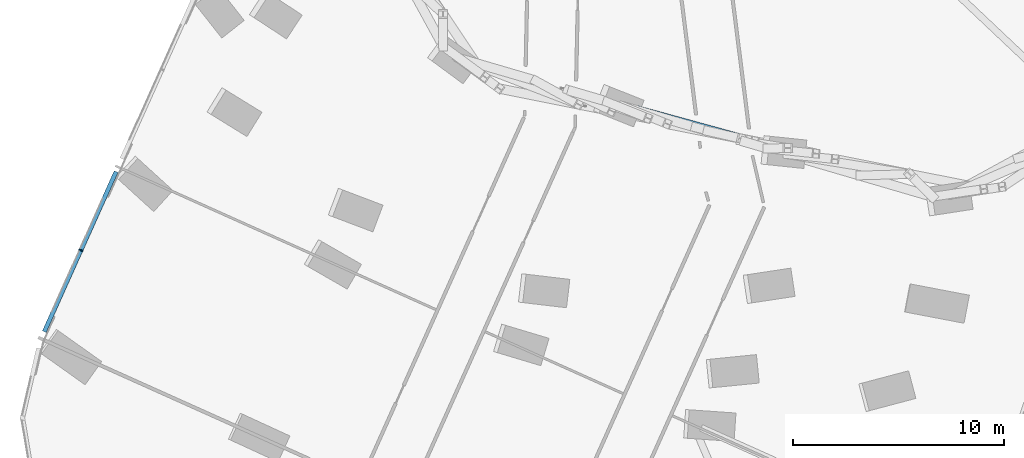
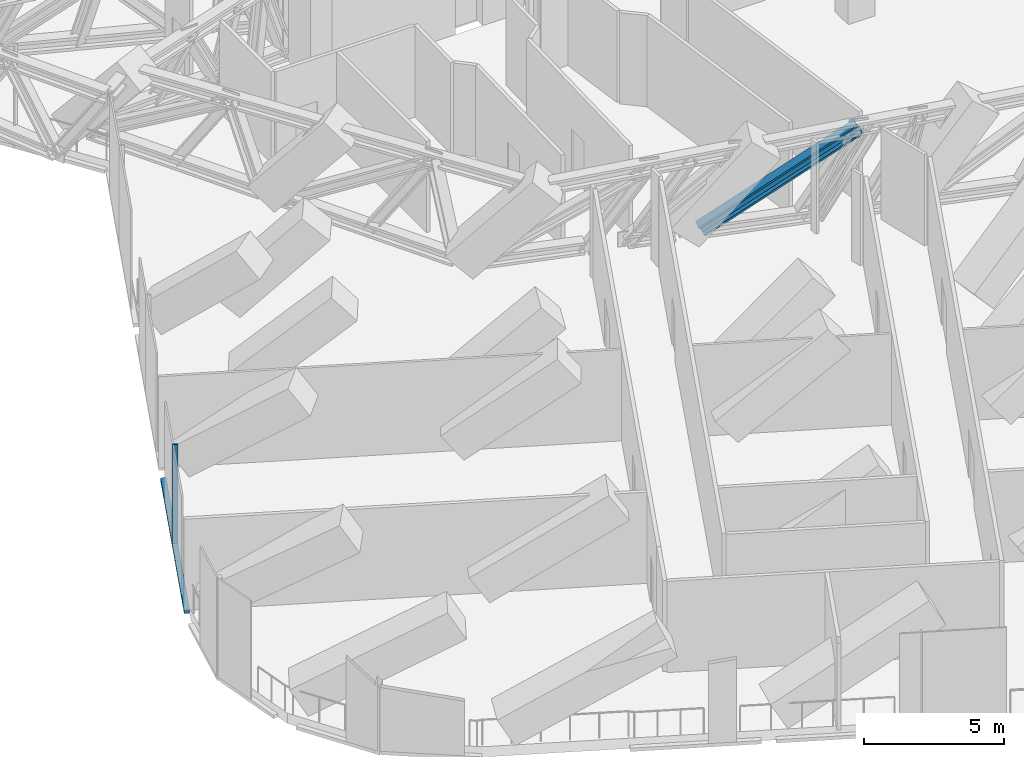
# One storey, part 4 of 39: 3 members, 1 element without a shape of its own.
"""IFC4 building model written with IfcOpenShell, lengths in metres."""

from ifc_helpers import new_model, si_unit, direction, frame, origin, origin_2d, place, context, subcontext, project, spatial, rectangle, i_section, extrude, material, material_profile, profile_set, type_object, element, aggregate, save


model = new_model("IFC4")

# Units and contexts
model_context = context("Model", 3, precision=1e-05, world=origin(), true_north=direction((0.0, 1.0)))
body_context = subcontext(model_context, "Body", "Model", "MODEL_VIEW")
ifc_project = project(units=[si_unit("LENGTHUNIT", "METRE"), si_unit("AREAUNIT", "SQUARE_METRE"), si_unit("VOLUMEUNIT", "CUBIC_METRE"), si_unit("PLANEANGLEUNIT", "RADIAN"), si_unit("MASSUNIT", "GRAM", prefix="KILO")], contexts=[model_context])

# Site, building, storey
site_placement = place(None, origin())
site = spatial("IfcSite", under=ifc_project, at=site_placement, CompositionType="ELEMENT")
building_placement = place(site_placement, origin())
building = spatial("IfcBuilding", under=site, at=building_placement, Name="Orlundy Tower", CompositionType="ELEMENT")
storey_placement = place(building_placement, frame((0.0, 0.0, 141.199951171875)))
storey = spatial("IfcBuildingStorey", under=building, at=storey_placement, Name="L36", CompositionType="ELEMENT", Elevation=141.199951171875)

# Member
ifc_material_1 = material(Name="Steel ASTM A992 Gr 50", Category="steel")
ifc_material_profile_1 = material_profile(ifc_material_1, i_section(OverallWidth=0.42431640625, OverallDepth=0.47412109375, WebThickness=0.0478515625, FlangeThickness=0.0771484375, at=origin_2d()), Name="W14X426")
ifc_profile_set_1 = profile_set([ifc_material_profile_1], Name="Steel ASTM A992 Gr 50")
member_type_1 = type_object("IfcMemberType", Name="BELT TRUSS diagonal W14X426", PredefinedType="BRACE", material=ifc_profile_set_1)
member_1_placement = place(storey_placement, frame((-11.69091796875, -27.20361328125, 0.28466796875), z_axis=(0.831894524332, -0.228222037398, 0.50583218762), x_axis=(0.264564800962, 0.964367910132, 0.0)))
element("IfcMember", 1, at=member_1_placement, inside=storey, type_object=member_type_1, Name="Belt truss diagonal BT-05-0", PredefinedType="BRACE", context=body_context, shape_type="SweptSolid", body=[
    extrude(i_section(OverallWidth=0.42431640625, OverallDepth=0.47412109375, WebThickness=0.0478515625, FlangeThickness=0.0771484375, at=origin_2d()), origin(), (0.0, 0.0, 1.0), 6.7822265625),
])

# Curtain wall, members
ifc_material_2 = material(Name="Aluminium bronze anodised", Category="aluminium")
curtain_wall_type = type_object("IfcCurtainWallType", Name="CW4 wall", PredefinedType="NOTDEFINED", material=ifc_material_2)
curtain_wall_placement = place(storey_placement, origin())
curtain_wall = element("IfcCurtainWall", 2, at=curtain_wall_placement, inside=storey, type_object=curtain_wall_type, Name="CW4 run 012", PredefinedType="NOTDEFINED")
ifc_material_3 = material(Name="Aluminium bronze anodised", Category="aluminium")
ifc_material_profile_2 = material_profile(ifc_material_3, rectangle(XDim=0.199951171875, YDim=0.06005859375, at=origin_2d()), Name="CW4 mullion 60x200")
ifc_profile_set_2 = profile_set([ifc_material_profile_2], Name="Aluminium bronze anodised")
member_type_2 = type_object("IfcMemberType", Name="CW4 mullion 60x200", PredefinedType="MULLION", material=ifc_profile_set_2)
member_2_placement = place(storey_placement, frame((-37.299560546875, -34.027587890625, -0.449951171875), z_axis=(0.0, 0.0, 1.0), x_axis=(-0.912353085589, 0.409404258912, 0.0)))
member_2 = element("IfcMember", 3, at=member_2_placement, type_object=member_type_2, Name="CW4 mullion 21", PredefinedType="MULLION", context=body_context, shape_type="SweptSolid", body=[
    extrude(rectangle(XDim=0.199951171875, YDim=0.06005859375, at=origin_2d()), origin(), (0.0, 0.0, 1.0), 4.449951171875),
])
ifc_material_4 = material(Name="Aluminium bronze anodised", Category="aluminium")
ifc_material_profile_3 = material_profile(ifc_material_4, rectangle(XDim=0.199951171875, YDim=0.14990234375, at=origin_2d()), Name="CW4 transom 200x150")
ifc_profile_set_3 = profile_set([ifc_material_profile_3], Name="Aluminium bronze anodised")
member_type_3 = type_object("IfcMemberType", Name="CW4 transom 200x150", PredefinedType="USERDEFINED", material=ifc_profile_set_3)
member_3_placement = place(storey_placement, frame((-39.02685546875, -37.876953125, -0.375), z_axis=(0.409382933288, 0.912362654832, 0.0), x_axis=(-0.912362654832, 0.409382933288, 0.0)))
member_3 = element("IfcMember", 4, at=member_3_placement, type_object=member_type_3, Name="CW4 transom", ObjectType="TRANSOM", PredefinedType="USERDEFINED", context=body_context, shape_type="SweptSolid", body=[
    extrude(rectangle(XDim=0.199951171875, YDim=0.14990234375, at=origin_2d()), origin(), (0.0, 0.0, 1.0), 8.294921875),
])
aggregate(curtain_wall, [member_2, member_3])

save(model, "model.ifc")
